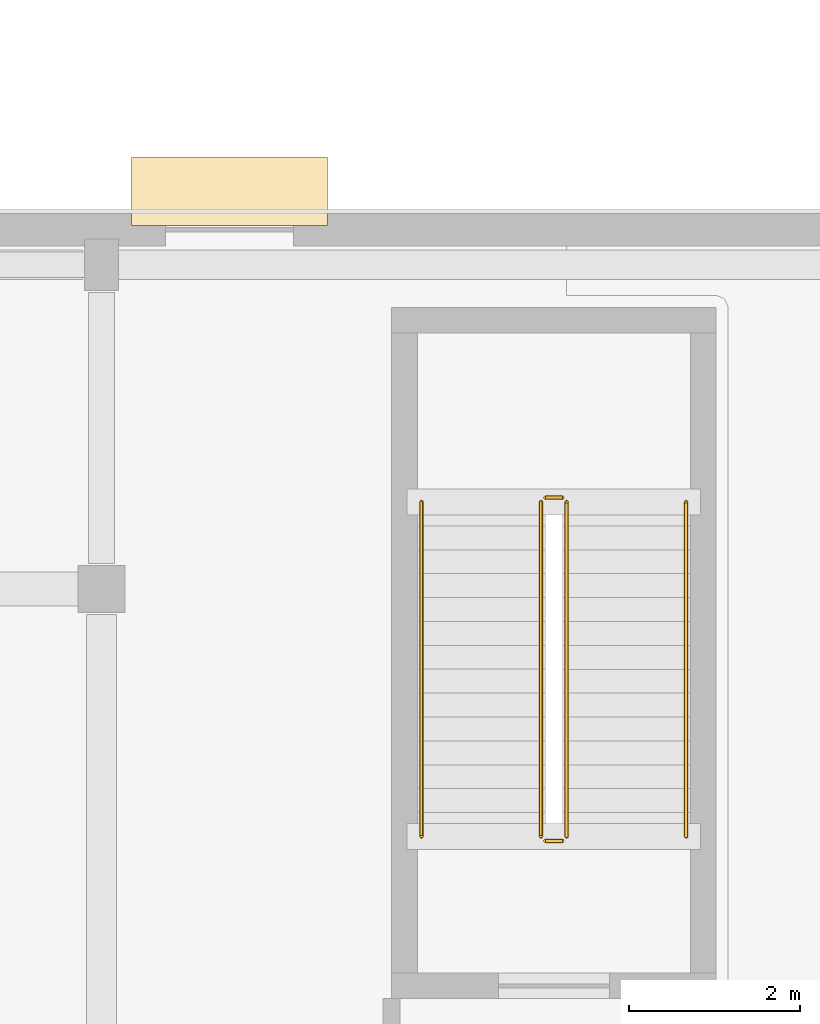
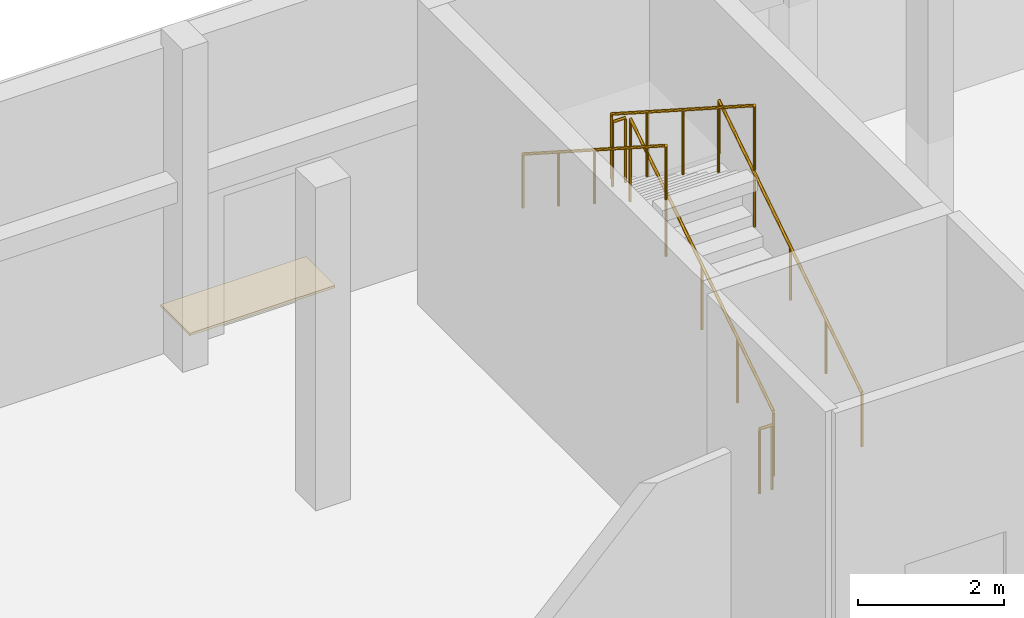
# One storey, part 75 of 84: 6 railings, 1 covering.
"""IFC4 building model written with IfcOpenShell, lengths in metres."""

from ifc_helpers import new_model, si_unit, direction, frame, origin, origin_2d, place, context, subcontext, project, spatial, rectangle, circle, extrude, material, layer, layer_set, type_object, element, save


model = new_model("IFC4")

# Units and contexts
model_context = context("Model", 3, precision=1e-05, world=origin(), true_north=direction((0.0, 1.0)))
body_context = subcontext(model_context, "Body", "Model", "MODEL_VIEW")
ifc_project = project(units=[si_unit("LENGTHUNIT", "METRE"), si_unit("AREAUNIT", "SQUARE_METRE"), si_unit("VOLUMEUNIT", "CUBIC_METRE"), si_unit("PLANEANGLEUNIT", "RADIAN"), si_unit("MASSUNIT", "GRAM", prefix="KILO")], contexts=[model_context])

# Site, building, storey
site_placement = place(None, origin())
site = spatial("IfcSite", under=ifc_project, at=site_placement, CompositionType="ELEMENT")
building_placement = place(site_placement, origin())
building = spatial("IfcBuilding", under=site, at=building_placement, Name="Mzevani Central Library", CompositionType="ELEMENT")
storey_placement = place(building_placement, origin())
storey = spatial("IfcBuildingStorey", under=building, at=storey_placement, Name="L00", CompositionType="ELEMENT", Elevation=0.0)

# Railings
ifc_material_1 = material(Name="Brushed stainless steel rail", Category="steel")
railing_type_1 = type_object("IfcRailingType", Name="Interior Gallery and Stair Guard 1100", PredefinedType="BALUSTRADE", material=ifc_material_1)
railing_1_placement = place(storey_placement, frame((88.64990234375, 106.699951171875, 0.179931640625)))
element("IfcRailing", 1, at=railing_1_placement, inside=storey, type_object=railing_type_1, Name="L00 ST-06 stair guard 1", PredefinedType="BALUSTRADE", context=body_context, shape_type="SweptSolid", body=[
    extrude(circle(Radius=0.02392578125, at=origin_2d()), frame((0.0, 0.0, 1.076171875), z_axis=(0.0, 0.841186985886, 0.540744352514), x_axis=(-1.0, 0.0, 0.0)), (0.0, 0.0, 1.0), 4.660400390625),
    extrude(circle(Radius=0.02099609375, at=origin_2d()), origin(), (0.0, 0.0, 1.0), 1.052001953125),
    extrude(circle(Radius=0.02099609375, at=origin_2d()), frame((0.0, 0.97998046875, 0.6298828125)), (0.0, 0.0, 1.0), 1.052001953125),
    extrude(circle(Radius=0.02099609375, at=origin_2d()), frame((0.0, 1.9599609375, 1.260009765625)), (0.0, 0.0, 1.0), 1.052001953125),
    extrude(circle(Radius=0.02099609375, at=origin_2d()), frame((0.0, 2.940185546875, 1.89013671875)), (0.0, 0.0, 1.0), 1.052001953125),
    extrude(circle(Radius=0.02099609375, at=origin_2d()), frame((0.0, 3.920166015625, 2.52001953125)), (0.0, 0.0, 1.0), 1.052001953125),
])
railing_2_placement = place(storey_placement, frame((88.60009765625, 110.669921875, 2.699951171875)))
element("IfcRailing", 2, at=railing_2_placement, inside=storey, type_object=railing_type_1, Name="L00 ST-06 stair guard 2", PredefinedType="BALUSTRADE", context=body_context, shape_type="SweptSolid", body=[
    extrude(circle(Radius=0.02392578125, at=origin_2d()), frame((0.0, 0.0, 1.076171875), z_axis=(-1.0, 0.0, 0.0), x_axis=(0.0, -1.0, 0.0)), (0.0, 0.0, 1.0), 0.2001953125),
    extrude(circle(Radius=0.02099609375, at=origin_2d()), origin(), (0.0, 0.0, 1.0), 1.052001953125),
    extrude(circle(Radius=0.02099609375, at=origin_2d()), frame((-0.2001953125, 0.0, 0.0)), (0.0, 0.0, 1.0), 1.052001953125),
])
railing_3_placement = place(storey_placement, frame((88.35009765625, 110.6201171875, 2.8798828125)))
element("IfcRailing", 3, at=railing_3_placement, inside=storey, type_object=railing_type_1, Name="L00 ST-06 stair guard 3", PredefinedType="BALUSTRADE", context=body_context, shape_type="SweptSolid", body=[
    extrude(circle(Radius=0.02392578125, at=origin_2d()), frame((0.0, 0.0, 1.076171875), z_axis=(0.0, -0.841186985886, 0.540744352514), x_axis=(1.0, 0.0, 0.0)), (0.0, 0.0, 1.0), 4.660400390625),
    extrude(circle(Radius=0.02099609375, at=origin_2d()), origin(), (0.0, 0.0, 1.0), 1.052001953125),
    extrude(circle(Radius=0.02099609375, at=origin_2d()), frame((0.0, -0.97998046875, 0.6298828125)), (0.0, 0.0, 1.0), 1.052001953125),
    extrude(circle(Radius=0.02099609375, at=origin_2d()), frame((0.0, -1.9599609375, 1.260009765625)), (0.0, 0.0, 1.0), 1.052001953125),
    extrude(circle(Radius=0.02099609375, at=origin_2d()), frame((0.0, -2.940185546875, 1.89013671875)), (0.0, 0.0, 1.0), 1.052001953125),
    extrude(circle(Radius=0.02099609375, at=origin_2d()), frame((0.0, -3.920166015625, 2.52001953125)), (0.0, 0.0, 1.0), 1.052001953125),
])
railing_4_placement = place(storey_placement, frame((88.60009765625, 106.64990234375, 0.0)))
element("IfcRailing", 4, at=railing_4_placement, inside=storey, type_object=railing_type_1, Name="L00 ST-06 stair guard 4", PredefinedType="BALUSTRADE", context=body_context, shape_type="SweptSolid", body=[
    extrude(circle(Radius=0.02392578125, at=origin_2d()), frame((0.0, 0.0, 1.076171875), z_axis=(-1.0, 0.0, 0.0), x_axis=(0.0, -1.0, 0.0)), (0.0, 0.0, 1.0), 0.2001953125),
    extrude(circle(Radius=0.02099609375, at=origin_2d()), origin(), (0.0, 0.0, 1.0), 1.052001953125),
    extrude(circle(Radius=0.02099609375, at=origin_2d()), frame((-0.2001953125, 0.0, 0.0)), (0.0, 0.0, 1.0), 1.052001953125),
])
railing_type_2 = type_object("IfcRailingType", Name="Stair Wall Handrail 920", PredefinedType="HANDRAIL", material=ifc_material_1)
railing_5_placement = place(storey_placement, frame((90.050048828125, 106.699951171875, 0.179931640625)))
element("IfcRailing", 5, at=railing_5_placement, inside=storey, type_object=railing_type_2, Name="L00 ST-06 stair handrail 1", PredefinedType="HANDRAIL", context=body_context, shape_type="SweptSolid", body=[
    extrude(circle(Radius=0.02392578125, at=origin_2d()), frame((0.0, 0.0, 0.89599609375), z_axis=(0.0, 0.841186985886, 0.540744352514), x_axis=(-1.0, 0.0, 0.0)), (0.0, 0.0, 1.0), 4.660400390625),
    extrude(circle(Radius=0.02099609375, at=origin_2d()), origin(), (0.0, 0.0, 1.0), 0.871826171875),
    extrude(circle(Radius=0.02099609375, at=origin_2d()), frame((0.0, 0.97998046875, 0.6298828125)), (0.0, 0.0, 1.0), 0.871826171875),
    extrude(circle(Radius=0.02099609375, at=origin_2d()), frame((0.0, 1.9599609375, 1.260009765625)), (0.0, 0.0, 1.0), 0.871826171875),
    extrude(circle(Radius=0.02099609375, at=origin_2d()), frame((0.0, 2.940185546875, 1.89013671875)), (0.0, 0.0, 1.0), 0.871826171875),
    extrude(circle(Radius=0.02099609375, at=origin_2d()), frame((0.0, 3.920166015625, 2.52001953125)), (0.0, 0.0, 1.0), 0.871826171875),
])
railing_6_placement = place(storey_placement, frame((86.949951171875, 110.6201171875, 2.8798828125)))
element("IfcRailing", 6, at=railing_6_placement, inside=storey, type_object=railing_type_2, Name="L00 ST-06 stair handrail 2", PredefinedType="HANDRAIL", context=body_context, shape_type="SweptSolid", body=[
    extrude(circle(Radius=0.02392578125, at=origin_2d()), frame((0.0, 0.0, 0.89599609375), z_axis=(0.0, -0.841186985886, 0.540744352514), x_axis=(1.0, 0.0, 0.0)), (0.0, 0.0, 1.0), 4.660400390625),
    extrude(circle(Radius=0.02099609375, at=origin_2d()), origin(), (0.0, 0.0, 1.0), 0.871826171875),
    extrude(circle(Radius=0.02099609375, at=origin_2d()), frame((0.0, -0.97998046875, 0.6298828125)), (0.0, 0.0, 1.0), 0.871826171875),
    extrude(circle(Radius=0.02099609375, at=origin_2d()), frame((0.0, -1.9599609375, 1.260009765625)), (0.0, 0.0, 1.0), 0.871826171875),
    extrude(circle(Radius=0.02099609375, at=origin_2d()), frame((0.0, -2.940185546875, 1.89013671875)), (0.0, 0.0, 1.0), 0.871826171875),
    extrude(circle(Radius=0.02099609375, at=origin_2d()), frame((0.0, -3.920166015625, 2.52001953125)), (0.0, 0.0, 1.0), 0.871826171875),
])

# Covering
ifc_material_2 = material(Name="Terrazzo stone flooring", Category="masonry")
ifc_layer = layer(ifc_material_2, 0.030029296875, Name="Terrazzo Stone Floor Finish")
ifc_layer_set = layer_set([ifc_layer], Name="Terrazzo stone flooring")
covering_type = type_object("IfcCoveringType", Name="Terrazzo Stone Floor Finish", PredefinedType="FLOORING", material=ifc_layer_set)
covering_placement = place(storey_placement, frame((84.699951171875, 114.260009765625, -0.0400390625), z_axis=(0.0, 0.0, 1.0), x_axis=(1.0, 0.0, 0.0)))
element("IfcCovering", 7, at=covering_placement, inside=storey, type_object=covering_type, Name="L00 ST-06 Final Exit Discharge Apron", PredefinedType="FLOORING", context=body_context, shape_type="SweptSolid", body=[
    extrude(rectangle(XDim=2.300048828125, YDim=0.800048828125, at=origin_2d()), origin(), (0.0, 0.0, 1.0), 0.0400390625),
])

save(model, "model.ifc")
